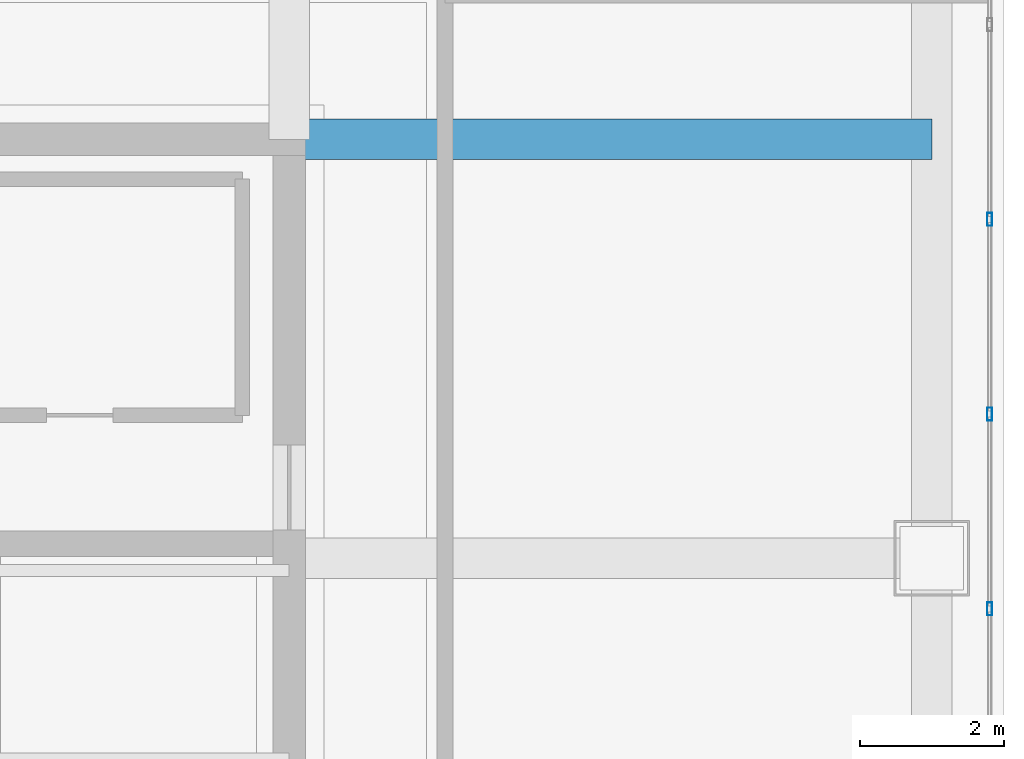
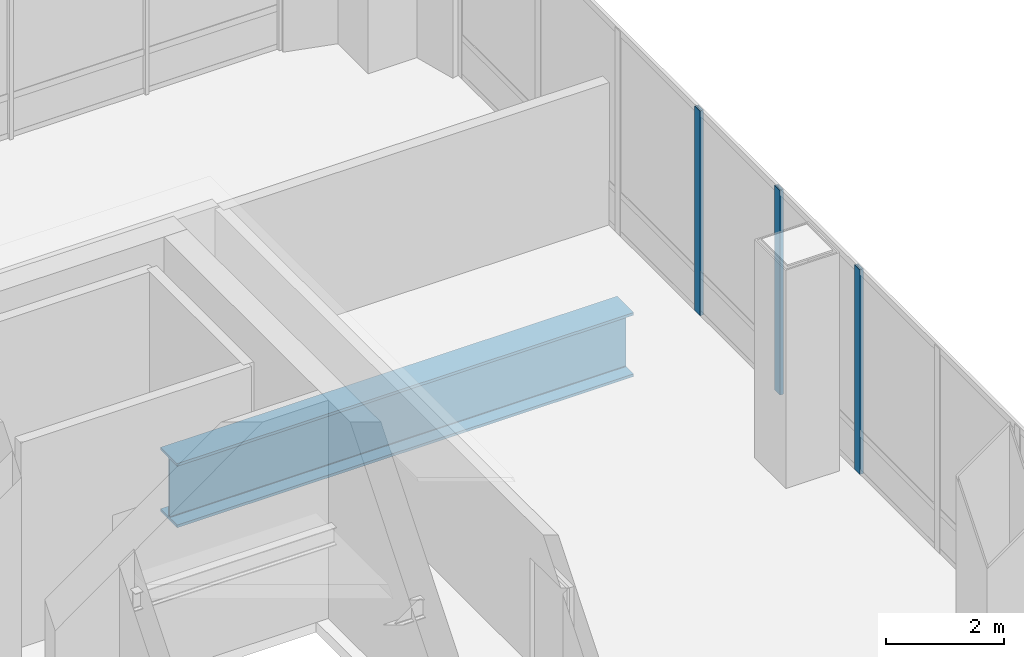
# One storey, part 18 of 33: 3 members, 1 beam, 1 element without a shape of its own.
"""IFC4 building model written with IfcOpenShell, lengths in metres."""

from ifc_helpers import new_model, si_unit, direction, frame, origin, origin_2d, place, context, subcontext, project, spatial, hollow_rectangle, i_section, extrude, material, material_profile, profile_set, type_object, element, aggregate, save


model = new_model("IFC4")

# Units and contexts
model_context = context("Model", 3, precision=1e-05, world=origin(), true_north=direction((0.0, 1.0)))
body_context = subcontext(model_context, "Body", "Model", "MODEL_VIEW")
ifc_project = project(units=[si_unit("LENGTHUNIT", "METRE"), si_unit("AREAUNIT", "SQUARE_METRE"), si_unit("VOLUMEUNIT", "CUBIC_METRE"), si_unit("PLANEANGLEUNIT", "RADIAN"), si_unit("MASSUNIT", "GRAM", prefix="KILO")], contexts=[model_context])

# Site, building, storey
site_placement = place(None, origin())
site = spatial("IfcSite", under=ifc_project, at=site_placement, CompositionType="ELEMENT")
building_placement = place(site_placement, origin())
building = spatial("IfcBuilding", under=site, at=building_placement, Name="Punatoya Terracotta Tower", CompositionType="ELEMENT")
storey_placement = place(building_placement, frame((0.0, 0.0, 348.300048828125)))
storey = spatial("IfcBuildingStorey", under=building, at=storey_placement, Name="L82", CompositionType="ELEMENT", Elevation=348.300048828125)

# Beam
ifc_material_1 = material(Name="Steel S460", Category="steel")
ifc_material_profile_1 = material_profile(ifc_material_1, i_section(OverallWidth=0.56005859375, OverallDepth=1.320068359375, WebThickness=0.035888671875, FlangeThickness=0.054931640625, FilletRadius=0.01806640625, at=origin_2d()))
ifc_profile_set_1 = profile_set([ifc_material_profile_1], Name="Steel S460")
beam_type = type_object("IfcBeamType", Name="BM-TG-BLK", PredefinedType="BEAM", material=ifc_profile_set_1)
beam_placement = place(storey_placement, frame((10.199951171875, 9.199951171875, -0.880126953125), z_axis=(1.0, 0.0, 0.0), x_axis=(0.0, 1.0, 0.0)))
element("IfcBeam", 1, at=beam_placement, inside=storey, type_object=beam_type, Name="BM-L82-PR-EN", PredefinedType="BEAM", context=body_context, shape_type="SweptSolid", body=[
    extrude(i_section(OverallWidth=0.56005859375, OverallDepth=1.320068359375, WebThickness=0.035888671875, FlangeThickness=0.054931640625, FilletRadius=0.01806640625, at=origin_2d()), origin(), (0.0, 0.0, 1.0), 8.900146484375),
])

# Curtain wall, members
ifc_material_2 = material(Name="Aluminium 6063-T6 + Double Low-E Glass", Category="aluminium")
curtain_wall_type = type_object("IfcCurtainWallType", Name="CW-CRN", PredefinedType="NOTDEFINED", material=ifc_material_2)
curtain_wall_placement = place(storey_placement, origin())
curtain_wall = element("IfcCurtainWall", 2, at=curtain_wall_placement, inside=storey, type_object=curtain_wall_type, Name="L82 Curtain Wall CW-L82-E05-1", PredefinedType="NOTDEFINED")
ifc_material_3 = material(Name="Aluminium 6063-T6", Category="aluminium")
ifc_material_profile_2 = material_profile(ifc_material_3, hollow_rectangle(XDim=0.070068359375, YDim=0.179931640625, WallThickness=0.00390625, at=origin_2d()))
ifc_profile_set_2 = profile_set([ifc_material_profile_2], Name="Aluminium 6063-T6")
member_type = type_object("IfcMemberType", Name="CW-MUL-M3", PredefinedType="MULLION", material=ifc_profile_set_2)
member_1_placement = place(storey_placement, frame((19.89990234375, 2.69775390625, 0.0), z_axis=(0.0, 0.0, 1.0), x_axis=(1.0, 0.0, 0.0)))
member_1 = element("IfcMember", 3, at=member_1_placement, type_object=member_type, Name="CW-L82-E05-1 Mullion 07", PredefinedType="MULLION", context=body_context, shape_type="SweptSolid", body=[
    extrude(hollow_rectangle(XDim=0.070068359375, YDim=0.179931640625, WallThickness=0.00390625, at=origin_2d()), origin(), (0.0, 0.0, 1.0), 4.219970703125),
])
member_2_placement = place(storey_placement, frame((19.89990234375, 5.3955078125, 0.0), z_axis=(0.0, 0.0, 1.0), x_axis=(1.0, 0.0, 0.0)))
member_2 = element("IfcMember", 4, at=member_2_placement, type_object=member_type, Name="CW-L82-E05-1 Mullion 08", PredefinedType="MULLION", context=body_context, shape_type="SweptSolid", body=[
    extrude(hollow_rectangle(XDim=0.070068359375, YDim=0.179931640625, WallThickness=0.00390625, at=origin_2d()), origin(), (0.0, 0.0, 1.0), 4.219970703125),
])
member_3_placement = place(storey_placement, frame((19.89990234375, 8.093505859375, 0.0), z_axis=(0.0, 0.0, 1.0), x_axis=(1.0, 0.0, 0.0)))
member_3 = element("IfcMember", 5, at=member_3_placement, type_object=member_type, Name="CW-L82-E05-1 Mullion 09", PredefinedType="MULLION", context=body_context, shape_type="SweptSolid", body=[
    extrude(hollow_rectangle(XDim=0.070068359375, YDim=0.179931640625, WallThickness=0.00390625, at=origin_2d()), origin(), (0.0, 0.0, 1.0), 4.219970703125),
])
aggregate(curtain_wall, [member_1, member_2, member_3])

save(model, "model.ifc")
